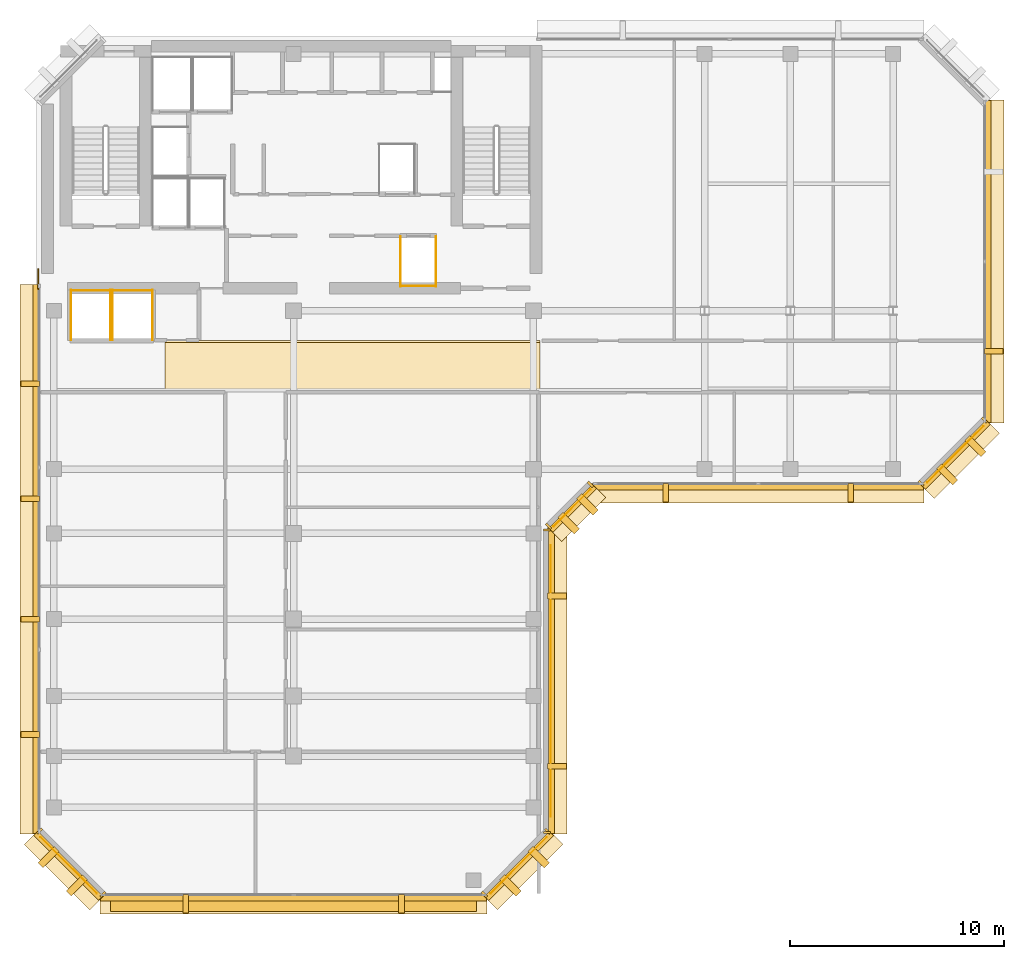
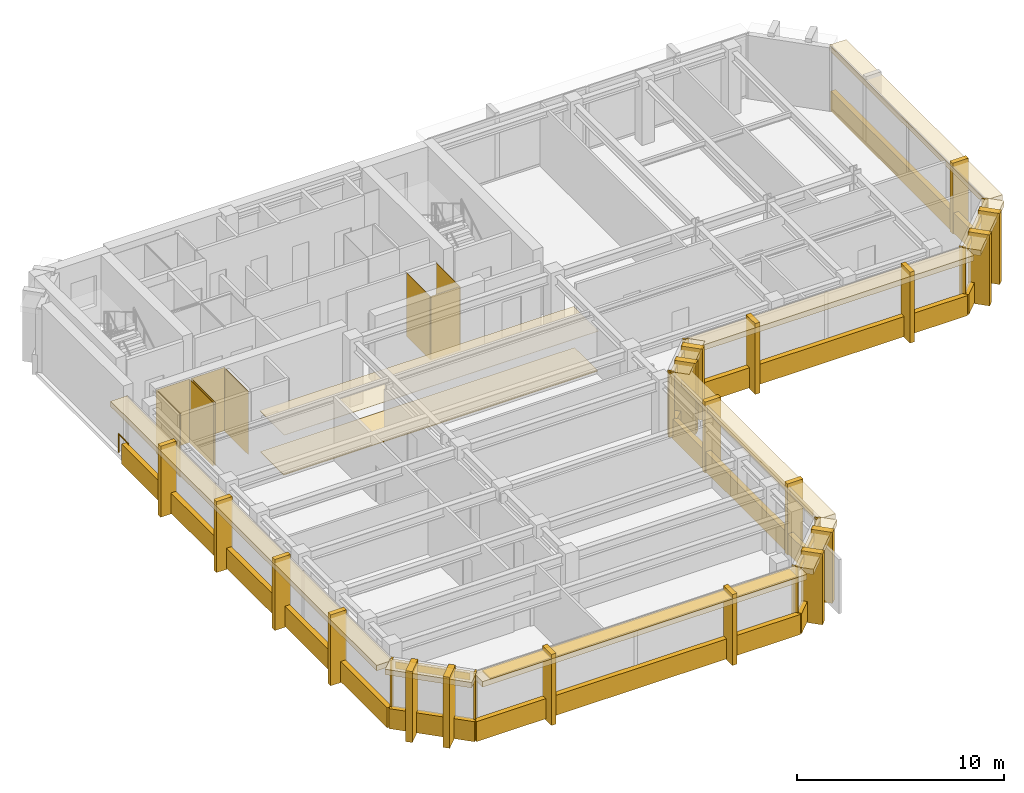
# One storey, part 9 of 11: 63 coverings, 1 railing, 1 shading device.
"""IFC4 building model written with IfcOpenShell, lengths in metres."""

from ifc_helpers import new_model, si_unit, direction, frame, origin, origin_2d, place, context, subcontext, project, spatial, polyline, rectangle, circle, outline, extrude, material, layer, layer_set, type_object, element, save


model = new_model("IFC4")

# Units and contexts
model_context = context("Model", 3, precision=1e-05, world=origin(), true_north=direction((0.0, 1.0)))
body_context = subcontext(model_context, "Body", "Model", "MODEL_VIEW")
ifc_project = project(units=[si_unit("LENGTHUNIT", "METRE"), si_unit("AREAUNIT", "SQUARE_METRE"), si_unit("VOLUMEUNIT", "CUBIC_METRE"), si_unit("PLANEANGLEUNIT", "RADIAN"), si_unit("MASSUNIT", "GRAM", prefix="KILO")], contexts=[model_context])

# Site, building, storey
site_placement = place(None, origin())
site = spatial("IfcSite", under=ifc_project, at=site_placement, CompositionType="ELEMENT")
building_placement = place(site_placement, origin())
building = spatial("IfcBuilding", under=site, at=building_placement, Name="Kefirva Bronze Tower", CompositionType="ELEMENT")
storey_placement = place(building_placement, frame((0.0, 0.0, 303.929931640625)))
storey = spatial("IfcBuildingStorey", under=building, at=storey_placement, Name="L74", CompositionType="ELEMENT", Elevation=303.929931640625)

# Coverings
ifc_material_1 = material(Name="Acoustic mineral tile")
ifc_layer_1 = layer(ifc_material_1, 0.02490234375, Name="Acoustic mineral tile")
ifc_layer_set_1 = layer_set([ifc_layer_1], Name="Acoustic mineral tile")
covering_type_1 = type_object("IfcCoveringType", Name="Acoustic Mineral Suspended Ceiling 25mm", PredefinedType="CEILING", material=ifc_layer_set_1)
covering_1_placement = place(storey_placement, frame((0.0, 0.0, 2.400146484375)))
element("IfcCovering", 1, at=covering_1_placement, inside=storey, type_object=covering_type_1, Name="L74 Corridor Acoustic Ceiling", PredefinedType="CEILING", context=body_context, shape_type="SweptSolid", body=[
    extrude(outline(polyline([(6.0, 29.39990234375), (23.5, 29.39990234375), (23.5, 31.800048828125), (6.0, 31.800048828125), (6.0, 29.39990234375)])), origin(), (0.0, 0.0, 1.0), 0.02490234375),
])
ifc_material_2 = material(Name="Bronze anodised aluminium", Category="aluminium")
ifc_layer_2 = layer(ifc_material_2, 0.02001953125, Name="Bronze anodised aluminium")
ifc_layer_set_2 = layer_set([ifc_layer_2], Name="Bronze anodised aluminium")
covering_type_2 = type_object("IfcCoveringType", Name="Anodised Bronze Spandrel Cladding 20mm", PredefinedType="CLADDING", material=ifc_layer_set_2)
covering_2_placement = place(storey_placement, frame((12.0, 5.760009765625, -0.15966796875), z_axis=(0.0, 0.0, 1.0), x_axis=(1.0, 0.0, 0.0)))
element("IfcCovering", 2, at=covering_2_placement, inside=storey, type_object=covering_type_2, Name="L74 Streamline Horizontal Spandrel Band 0", PredefinedType="CLADDING", context=body_context, shape_type="SweptSolid", body=[
    extrude(rectangle(XDim=18.0400390625, YDim=0.280029296875, at=origin_2d()), origin(), (0.0, 0.0, 1.0), 1.179931640625),
])
covering_3_placement = place(storey_placement, frame((22.507080078125, 7.29296875, 3.320068359375), z_axis=(0.0, 0.0, 1.0), x_axis=(0.707106781187, 0.707106781187, 0.0)))
element("IfcCovering", 3, at=covering_3_placement, inside=storey, type_object=covering_type_2, Name="L74 Bronze Spandrel Cladding 1", PredefinedType="CLADDING", context=body_context, shape_type="SweptSolid", body=[
    extrude(rectangle(XDim=3.719482421875, YDim=0.02001953125, at=origin_2d()), origin(), (0.0, 0.0, 1.0), 0.39990234375),
])
for number, where, z_axis, x_axis, name in (
    (4, (20.91162109375, 5.93798828125, 0.0), (0.0, 0.0, 1.0), (0.707106781187, 0.707106781187, 0.0), "L74 Facade Joint Closure Panel 1S"),
    (5, (23.862060546875, 8.88818359375, 0.0), (0.0, 0.0, 1.0), (0.707106781187, 0.707106781187, 0.0), "L74 Facade Joint Closure Panel 1E"),
):
    element("IfcCovering", number, at=place(storey_placement, frame(where, z_axis=z_axis, x_axis=x_axis)), inside=storey, type_object=covering_type_2, Name=name, PredefinedType="CLADDING", context=body_context, shape_type="SweptSolid", body=[
        extrude(rectangle(XDim=0.10009765625, YDim=0.320068359375, at=origin_2d()), origin(), (0.0, 0.0, 1.0), 3.739990234375),
    ])
covering_4_placement = place(storey_placement, frame((22.5283203125, 7.271728515625, -0.15966796875), z_axis=(0.0, 0.0, 1.0), x_axis=(0.707106781187, 0.707106781187, 0.0)))
element("IfcCovering", 6, at=covering_4_placement, inside=storey, type_object=covering_type_2, Name="L74 Streamline Horizontal Spandrel Band 1", PredefinedType="CLADDING", context=body_context, shape_type="SweptSolid", body=[
    extrude(rectangle(XDim=4.28271484375, YDim=0.280029296875, at=origin_2d()), origin(), (0.0, 0.0, 1.0), 1.179931640625),
])
covering_5_placement = place(storey_placement, frame((24.010009765625, 15.89990234375, 3.320068359375), z_axis=(0.0, 0.0, 1.0), x_axis=(0.0, 1.0, 0.0)))
element("IfcCovering", 7, at=covering_5_placement, inside=storey, type_object=covering_type_2, Name="L74 Bronze Spandrel Cladding 2", PredefinedType="CLADDING", context=body_context, shape_type="SweptSolid", body=[
    extrude(rectangle(XDim=12.680908203125, YDim=0.02001953125, at=origin_2d()), origin(), (0.0, 0.0, 1.0), 0.39990234375),
])
for number, where, z_axis, x_axis, name in (
    (8, (23.840087890625, 8.8349609375, 0.0), (0.0, 0.0, 1.0), (0.0, 1.0, 0.0), "L74 Facade Joint Closure Panel 2S"),
    (9, (23.840087890625, 22.965087890625, 0.0), (0.0, 0.0, 1.0), (0.0, 1.0, 0.0), "L74 Facade Joint Closure Panel 2E"),
):
    element("IfcCovering", number, at=place(storey_placement, frame(where, z_axis=z_axis, x_axis=x_axis)), inside=storey, type_object=covering_type_2, Name=name, PredefinedType="CLADDING", context=body_context, shape_type="SweptSolid", body=[
        extrude(rectangle(XDim=0.10009765625, YDim=0.320068359375, at=origin_2d()), origin(), (0.0, 0.0, 1.0), 3.739990234375),
    ])
covering_6_placement = place(storey_placement, frame((24.0400390625, 15.89990234375, -0.15966796875), z_axis=(0.0, 0.0, 1.0), x_axis=(0.0, 1.0, 0.0)))
element("IfcCovering", 10, at=covering_6_placement, inside=storey, type_object=covering_type_2, Name="L74 Streamline Horizontal Spandrel Band 2", PredefinedType="CLADDING", context=body_context, shape_type="SweptSolid", body=[
    extrude(rectangle(XDim=14.239990234375, YDim=0.280029296875, at=origin_2d()), origin(), (0.0, 0.0, 1.0), 1.179931640625),
])
covering_7_placement = place(storey_placement, frame((25.007080078125, 23.992919921875, 3.320068359375), z_axis=(0.0, 0.0, 1.0), x_axis=(0.707106781187, 0.707106781187, 0.0)))
element("IfcCovering", 11, at=covering_7_placement, inside=storey, type_object=covering_type_2, Name="L74 Bronze Spandrel Cladding 3", PredefinedType="CLADDING", context=body_context, shape_type="SweptSolid", body=[
    extrude(rectangle(XDim=2.446533203125, YDim=0.02001953125, at=origin_2d()), origin(), (0.0, 0.0, 1.0), 0.39990234375),
])
for number, where, z_axis, x_axis, name in (
    (12, (23.91162109375, 23.137939453125, 0.0), (0.0, 0.0, 1.0), (0.707106781187, 0.707106781187, 0.0), "L74 Facade Joint Closure Panel 3S"),
    (13, (25.862060546875, 25.08837890625, 0.0), (0.0, 0.0, 1.0), (0.707106781187, 0.707106781187, 0.0), "L74 Facade Joint Closure Panel 3E"),
):
    element("IfcCovering", number, at=place(storey_placement, frame(where, z_axis=z_axis, x_axis=x_axis)), inside=storey, type_object=covering_type_2, Name=name, PredefinedType="CLADDING", context=body_context, shape_type="SweptSolid", body=[
        extrude(rectangle(XDim=0.10009765625, YDim=0.320068359375, at=origin_2d()), origin(), (0.0, 0.0, 1.0), 3.739990234375),
    ])
covering_8_placement = place(storey_placement, frame((25.0283203125, 23.9716796875, -0.15966796875), z_axis=(0.0, 0.0, 1.0), x_axis=(0.707106781187, 0.707106781187, 0.0)))
element("IfcCovering", 14, at=covering_8_placement, inside=storey, type_object=covering_type_2, Name="L74 Streamline Horizontal Spandrel Band 3", PredefinedType="CLADDING", context=body_context, shape_type="SweptSolid", body=[
    extrude(rectangle(XDim=2.868408203125, YDim=0.280029296875, at=origin_2d()), origin(), (0.0, 0.0, 1.0), 1.179931640625),
])
covering_9_placement = place(storey_placement, frame((33.699951171875, 24.9599609375, -0.15966796875), z_axis=(0.0, 0.0, 1.0), x_axis=(1.0, 0.0, 0.0)))
element("IfcCovering", 15, at=covering_9_placement, inside=storey, type_object=covering_type_2, Name="L74 Streamline Horizontal Spandrel Band 4", PredefinedType="CLADDING", context=body_context, shape_type="SweptSolid", body=[
    extrude(rectangle(XDim=15.43994140625, YDim=0.280029296875, at=origin_2d()), origin(), (0.0, 0.0, 1.0), 1.179931640625),
])
covering_10_placement = place(storey_placement, frame((42.906982421875, 26.492919921875, 3.320068359375), z_axis=(0.0, 0.0, 1.0), x_axis=(0.707106781187, 0.707106781187, 0.0)))
element("IfcCovering", 16, at=covering_10_placement, inside=storey, type_object=covering_type_2, Name="L74 Bronze Spandrel Cladding 4", PredefinedType="CLADDING", context=body_context, shape_type="SweptSolid", body=[
    extrude(rectangle(XDim=3.719482421875, YDim=0.02001953125, at=origin_2d()), origin(), (0.0, 0.0, 1.0), 0.39990234375),
])
for number, where, z_axis, x_axis, name in (
    (17, (41.311767578125, 25.137939453125, 0.0), (0.0, 0.0, 1.0), (0.707106781187, 0.707106781187, 0.0), "L74 Facade Joint Closure Panel 4S"),
    (18, (44.26220703125, 28.08837890625, 0.0), (0.0, 0.0, 1.0), (0.707106781187, 0.707106781187, 0.0), "L74 Facade Joint Closure Panel 4E"),
):
    element("IfcCovering", number, at=place(storey_placement, frame(where, z_axis=z_axis, x_axis=x_axis)), inside=storey, type_object=covering_type_2, Name=name, PredefinedType="CLADDING", context=body_context, shape_type="SweptSolid", body=[
        extrude(rectangle(XDim=0.10009765625, YDim=0.320068359375, at=origin_2d()), origin(), (0.0, 0.0, 1.0), 3.739990234375),
    ])
covering_11_placement = place(storey_placement, frame((42.92822265625, 26.4716796875, -0.15966796875), z_axis=(0.0, 0.0, 1.0), x_axis=(0.707106781187, 0.707106781187, 0.0)))
element("IfcCovering", 19, at=covering_11_placement, inside=storey, type_object=covering_type_2, Name="L74 Streamline Horizontal Spandrel Band 5", PredefinedType="CLADDING", context=body_context, shape_type="SweptSolid", body=[
    extrude(rectangle(XDim=4.28271484375, YDim=0.280029296875, at=origin_2d()), origin(), (0.0, 0.0, 1.0), 1.179931640625),
])
covering_12_placement = place(storey_placement, frame((44.43994140625, 35.5, -0.15966796875), z_axis=(0.0, 0.0, 1.0), x_axis=(0.0, 1.0, 0.0)))
element("IfcCovering", 20, at=covering_12_placement, inside=storey, type_object=covering_type_2, Name="L74 Streamline Horizontal Spandrel Band 6", PredefinedType="CLADDING", context=body_context, shape_type="SweptSolid", body=[
    extrude(rectangle(XDim=15.0400390625, YDim=0.280029296875, at=origin_2d()), origin(), (0.0, 0.0, 1.0), 1.179931640625),
])
covering_13_placement = place(storey_placement, frame((-0.0400390625, 21.597412109375, -0.15966796875), z_axis=(0.0, 0.0, 1.0), x_axis=(0.0, -1.0, 0.0)))
element("IfcCovering", 21, at=covering_13_placement, inside=storey, type_object=covering_type_2, Name="L74 Streamline Horizontal Spandrel Band 10", PredefinedType="CLADDING", context=body_context, shape_type="SweptSolid", body=[
    extrude(rectangle(XDim=25.635009765625, YDim=0.280029296875, at=origin_2d()), origin(), (0.0, 0.0, 1.0), 1.179931640625),
])
covering_14_placement = place(storey_placement, frame((1.492919921875, 7.29296875, 3.320068359375), z_axis=(0.0, 0.0, 1.0), x_axis=(0.707106781187, -0.707106781187, 0.0)))
element("IfcCovering", 22, at=covering_14_placement, inside=storey, type_object=covering_type_2, Name="L74 Bronze Spandrel Cladding 7", PredefinedType="CLADDING", context=body_context, shape_type="SweptSolid", body=[
    extrude(rectangle(XDim=3.719482421875, YDim=0.02001953125, at=origin_2d()), origin(), (0.0, 0.0, 1.0), 0.39990234375),
])
for number, where, z_axis, x_axis, name in (
    (23, (0.137939453125, 8.88818359375, 0.0), (0.0, 0.0, 1.0), (0.707106781187, -0.707106781187, 0.0), "L74 Facade Joint Closure Panel 7S"),
    (24, (3.08837890625, 5.93798828125, 0.0), (0.0, 0.0, 1.0), (0.707106781187, -0.707106781187, 0.0), "L74 Facade Joint Closure Panel 7E"),
):
    element("IfcCovering", number, at=place(storey_placement, frame(where, z_axis=z_axis, x_axis=x_axis)), inside=storey, type_object=covering_type_2, Name=name, PredefinedType="CLADDING", context=body_context, shape_type="SweptSolid", body=[
        extrude(rectangle(XDim=0.10009765625, YDim=0.320068359375, at=origin_2d()), origin(), (0.0, 0.0, 1.0), 3.739990234375),
    ])
covering_15_placement = place(storey_placement, frame((1.4716796875, 7.271728515625, -0.15966796875), z_axis=(0.0, 0.0, 1.0), x_axis=(0.707106781187, -0.707106781187, 0.0)))
element("IfcCovering", 25, at=covering_15_placement, inside=storey, type_object=covering_type_2, Name="L74 Streamline Horizontal Spandrel Band 11", PredefinedType="CLADDING", context=body_context, shape_type="SweptSolid", body=[
    extrude(rectangle(XDim=4.28271484375, YDim=0.280029296875, at=origin_2d()), origin(), (0.0, 0.0, 1.0), 1.179931640625),
])
covering_16_placement = place(storey_placement, origin())
element("IfcCovering", 26, at=covering_16_placement, inside=storey, type_object=covering_type_2, Name="L74 Lift OB1 Hoistway Liner N", PredefinedType="CLADDING", context=body_context, shape_type="SweptSolid", body=[
    extrude(outline(polyline([(1.580078125, 34.139892578125), (3.469970703125, 34.139892578125), (3.469970703125, 34.159912109375), (1.580078125, 34.159912109375), (1.580078125, 34.139892578125)])), origin(), (0.0, 0.0, 1.0), 3.739990234375),
])
covering_17_placement = place(storey_placement, origin())
element("IfcCovering", 27, at=covering_17_placement, inside=storey, type_object=covering_type_2, Name="L74 Lift OB1 Hoistway Liner W", PredefinedType="CLADDING", context=body_context, shape_type="SweptSolid", body=[
    extrude(outline(polyline([(1.590087890625, 31.830078125), (1.610107421875, 31.830078125), (1.610107421875, 34.169921875), (1.590087890625, 34.169921875), (1.590087890625, 31.830078125)])), origin(), (0.0, 0.0, 1.0), 3.739990234375),
])
covering_18_placement = place(storey_placement, origin())
element("IfcCovering", 28, at=covering_18_placement, inside=storey, type_object=covering_type_2, Name="L74 Lift OB1 Hoistway Liner E", PredefinedType="CLADDING", context=body_context, shape_type="SweptSolid", body=[
    extrude(outline(polyline([(3.43994140625, 31.830078125), (3.4599609375, 31.830078125), (3.4599609375, 34.169921875), (3.43994140625, 34.169921875), (3.43994140625, 31.830078125)])), origin(), (0.0, 0.0, 1.0), 3.739990234375),
])
covering_19_placement = place(storey_placement, origin())
element("IfcCovering", 29, at=covering_19_placement, inside=storey, type_object=covering_type_2, Name="L74 Lift OB2 Hoistway Liner N", PredefinedType="CLADDING", context=body_context, shape_type="SweptSolid", body=[
    extrude(outline(polyline([(3.530029296875, 34.139892578125), (5.419921875, 34.139892578125), (5.419921875, 34.159912109375), (3.530029296875, 34.159912109375), (3.530029296875, 34.139892578125)])), origin(), (0.0, 0.0, 1.0), 3.739990234375),
])
covering_20_placement = place(storey_placement, origin())
element("IfcCovering", 30, at=covering_20_placement, inside=storey, type_object=covering_type_2, Name="L74 Lift OB2 Hoistway Liner W", PredefinedType="CLADDING", context=body_context, shape_type="SweptSolid", body=[
    extrude(outline(polyline([(3.5400390625, 31.830078125), (3.56005859375, 31.830078125), (3.56005859375, 34.169921875), (3.5400390625, 34.169921875), (3.5400390625, 31.830078125)])), origin(), (0.0, 0.0, 1.0), 3.739990234375),
])
covering_21_placement = place(storey_placement, origin())
element("IfcCovering", 31, at=covering_21_placement, inside=storey, type_object=covering_type_2, Name="L74 Lift OB2 Hoistway Liner E", PredefinedType="CLADDING", context=body_context, shape_type="SweptSolid", body=[
    extrude(outline(polyline([(5.389892578125, 31.830078125), (5.409912109375, 31.830078125), (5.409912109375, 34.169921875), (5.389892578125, 34.169921875), (5.389892578125, 31.830078125)])), origin(), (0.0, 0.0, 1.0), 3.739990234375),
])
covering_22_placement = place(storey_placement, origin())
element("IfcCovering", 32, at=covering_22_placement, inside=storey, type_object=covering_type_2, Name="L74 Lift HP1 Hoistway Liner S", PredefinedType="CLADDING", context=body_context, shape_type="SweptSolid", body=[
    extrude(outline(polyline([(16.97998046875, 34.340087890625), (18.669921875, 34.340087890625), (18.669921875, 34.360107421875), (16.97998046875, 34.360107421875), (16.97998046875, 34.340087890625)])), origin(), (0.0, 0.0, 1.0), 3.739990234375),
])
covering_23_placement = place(storey_placement, origin())
element("IfcCovering", 33, at=covering_23_placement, inside=storey, type_object=covering_type_2, Name="L74 Lift HP1 Hoistway Liner W", PredefinedType="CLADDING", context=body_context, shape_type="SweptSolid", body=[
    extrude(outline(polyline([(16.989990234375, 34.330078125), (17.010009765625, 34.330078125), (17.010009765625, 36.669921875), (16.989990234375, 36.669921875), (16.989990234375, 34.330078125)])), origin(), (0.0, 0.0, 1.0), 3.739990234375),
])
covering_24_placement = place(storey_placement, origin())
element("IfcCovering", 34, at=covering_24_placement, inside=storey, type_object=covering_type_2, Name="L74 Lift HP1 Hoistway Liner E", PredefinedType="CLADDING", context=body_context, shape_type="SweptSolid", body=[
    extrude(outline(polyline([(18.639892578125, 34.330078125), (18.659912109375, 34.330078125), (18.659912109375, 36.669921875), (18.639892578125, 36.669921875), (18.639892578125, 34.330078125)])), origin(), (0.0, 0.0, 1.0), 3.739990234375),
])

# Shading device
ifc_layer_3 = layer(ifc_material_2, 0.090087890625, Name="Bronze anodised aluminium")
ifc_layer_set_3 = layer_set([ifc_layer_3], Name="Bronze anodised aluminium")
shading_device_type = type_object("IfcShadingDeviceType", Name="Horizontal Bronze Sunshade Band 750mm", PredefinedType="JALOUSIE", material=ifc_layer_set_3)
shading_device_placement = place(storey_placement, frame((12.0, 5.5048828125, 3.63525390625), z_axis=(0.0, 0.0, 1.0), x_axis=(1.0, 0.0, 0.0)))
element("IfcShadingDevice", 35, at=shading_device_placement, inside=storey, type_object=shading_device_type, Name="L74 Horizontal Bronze Sunshade Band 0", PredefinedType="JALOUSIE", context=body_context, shape_type="SweptSolid", body=[
    extrude(rectangle(XDim=17.090087890625, YDim=0.75, at=origin_2d()), origin(), (0.0, 0.0, 1.0), 0.090087890625),
])

# Railing
ifc_material_3 = material(Name="Stainless steel 316", Category="steel")
railing_type = type_object("IfcRailingType", Name="Interior Stair Guardrail 1100mm", PredefinedType="GUARDRAIL", material=ifc_material_3)
railing_placement = place(storey_placement, frame((0.080078125, 34.199951171875, 0.0)))
element("IfcRailing", 36, at=railing_placement, inside=storey, type_object=railing_type, Name="L74 West Core Junction Guardrail", PredefinedType="GUARDRAIL", context=body_context, shape_type="SweptSolid", body=[
    extrude(circle(Radius=0.02392578125, at=origin_2d()), frame((0.0, 0.0, 1.076171875), z_axis=(0.0, 1.0, 0.0), x_axis=(-1.0, 0.0, 0.0)), (0.0, 0.0, 1.0), 0.949951171875),
    extrude(circle(Radius=0.02099609375, at=origin_2d()), origin(), (0.0, 0.0, 1.0), 1.052001953125),
    extrude(circle(Radius=0.02099609375, at=origin_2d()), frame((0.0, 0.949951171875, 0.0)), (0.0, 0.0, 1.0), 1.052001953125),
])

# Coverings
ifc_material_4 = material(Name="Calcium sulphate access tile")
ifc_layer_4 = layer(ifc_material_4, 0.044921875, Name="Calcium sulphate access tile")
ifc_layer_set_4 = layer_set([ifc_layer_4], Name="Calcium sulphate access tile")
covering_type_3 = type_object("IfcCoveringType", Name="Raised Access Office Flooring 45mm", PredefinedType="FLOORING", material=ifc_layer_set_4)
covering_25_placement = place(storey_placement, origin())
element("IfcCovering", 37, at=covering_25_placement, inside=storey, type_object=covering_type_3, Name="L74 Architectural Finish Flooring", PredefinedType="FLOORING", context=body_context, shape_type="SweptSolid", body=[
    extrude(outline(polyline([(6.0, 29.47998046875), (23.5, 29.47998046875), (23.5, 31.719970703125), (6.0, 31.719970703125), (6.0, 29.47998046875)])), origin(), (0.0, 0.0, 1.0), 0.045166015625),
])
ifc_layer_5 = layer(ifc_material_2, 0.179931640625, Name="Bronze anodised aluminium")
ifc_layer_set_5 = layer_set([ifc_layer_5], Name="Bronze anodised aluminium")
covering_type_4 = type_object("IfcCoveringType", Name="Streamline Bronze Sunshade Eyebrow Cladding 180mm", PredefinedType="CLADDING", material=ifc_layer_set_5)
covering_26_placement = place(storey_placement, frame((12.0, 5.489990234375, 3.419921875), z_axis=(0.0, 0.0, 1.0), x_axis=(1.0, 0.0, 0.0)))
element("IfcCovering", 38, at=covering_26_placement, inside=storey, type_object=covering_type_4, Name="L74 Streamline Bronze Sunshade Eyebrow 0", PredefinedType="CLADDING", context=body_context, shape_type="SweptSolid", body=[
    extrude(rectangle(XDim=18.080078125, YDim=0.93994140625, at=origin_2d()), origin(), (0.0, 0.0, 1.0), 0.320068359375),
])
covering_27_placement = place(storey_placement, frame((22.71923828125, 7.080810546875, 3.419921875), z_axis=(0.0, 0.0, 1.0), x_axis=(0.707106781187, 0.707106781187, 0.0)))
element("IfcCovering", 39, at=covering_27_placement, inside=storey, type_object=covering_type_4, Name="L74 Streamline Bronze Sunshade Eyebrow 1", PredefinedType="CLADDING", context=body_context, shape_type="SweptSolid", body=[
    extrude(rectangle(XDim=4.322509765625, YDim=0.93994140625, at=origin_2d()), origin(), (0.0, 0.0, 1.0), 0.320068359375),
])
covering_28_placement = place(storey_placement, frame((24.31005859375, 15.89990234375, 3.419921875), z_axis=(0.0, 0.0, 1.0), x_axis=(0.0, 1.0, 0.0)))
element("IfcCovering", 40, at=covering_28_placement, inside=storey, type_object=covering_type_4, Name="L74 Streamline Bronze Sunshade Eyebrow 2", PredefinedType="CLADDING", context=body_context, shape_type="SweptSolid", body=[
    extrude(rectangle(XDim=14.280029296875, YDim=0.93994140625, at=origin_2d()), origin(), (0.0, 0.0, 1.0), 0.320068359375),
])
covering_29_placement = place(storey_placement, frame((25.21923828125, 23.78076171875, 3.419921875), z_axis=(0.0, 0.0, 1.0), x_axis=(0.707106781187, 0.707106781187, 0.0)))
element("IfcCovering", 41, at=covering_29_placement, inside=storey, type_object=covering_type_4, Name="L74 Streamline Bronze Sunshade Eyebrow 3", PredefinedType="CLADDING", context=body_context, shape_type="SweptSolid", body=[
    extrude(rectangle(XDim=2.908447265625, YDim=0.93994140625, at=origin_2d()), origin(), (0.0, 0.0, 1.0), 0.320068359375),
])
covering_30_placement = place(storey_placement, frame((33.699951171875, 24.68994140625, 3.419921875), z_axis=(0.0, 0.0, 1.0), x_axis=(1.0, 0.0, 0.0)))
element("IfcCovering", 42, at=covering_30_placement, inside=storey, type_object=covering_type_4, Name="L74 Streamline Bronze Sunshade Eyebrow 4", PredefinedType="CLADDING", context=body_context, shape_type="SweptSolid", body=[
    extrude(rectangle(XDim=15.47998046875, YDim=0.93994140625, at=origin_2d()), origin(), (0.0, 0.0, 1.0), 0.320068359375),
])
covering_31_placement = place(storey_placement, frame((43.119140625, 26.28076171875, 3.419921875), z_axis=(0.0, 0.0, 1.0), x_axis=(0.707106781187, 0.707106781187, 0.0)))
element("IfcCovering", 43, at=covering_31_placement, inside=storey, type_object=covering_type_4, Name="L74 Streamline Bronze Sunshade Eyebrow 5", PredefinedType="CLADDING", context=body_context, shape_type="SweptSolid", body=[
    extrude(rectangle(XDim=4.322509765625, YDim=0.93994140625, at=origin_2d()), origin(), (0.0, 0.0, 1.0), 0.320068359375),
])
covering_32_placement = place(storey_placement, frame((44.7099609375, 35.5, 3.419921875), z_axis=(0.0, 0.0, 1.0), x_axis=(0.0, 1.0, 0.0)))
element("IfcCovering", 44, at=covering_32_placement, inside=storey, type_object=covering_type_4, Name="L74 Streamline Bronze Sunshade Eyebrow 6", PredefinedType="CLADDING", context=body_context, shape_type="SweptSolid", body=[
    extrude(rectangle(XDim=15.080078125, YDim=0.93994140625, at=origin_2d()), origin(), (0.0, 0.0, 1.0), 0.320068359375),
])
covering_33_placement = place(storey_placement, frame((-0.31005859375, 21.597412109375, 3.419921875), z_axis=(0.0, 0.0, 1.0), x_axis=(0.0, -1.0, 0.0)))
element("IfcCovering", 45, at=covering_33_placement, inside=storey, type_object=covering_type_4, Name="L74 Streamline Bronze Sunshade Eyebrow 10", PredefinedType="CLADDING", context=body_context, shape_type="SweptSolid", body=[
    extrude(rectangle(XDim=25.675048828125, YDim=0.93994140625, at=origin_2d()), origin(), (0.0, 0.0, 1.0), 0.320068359375),
])
covering_34_placement = place(storey_placement, frame((1.28076171875, 7.080810546875, 3.419921875), z_axis=(0.0, 0.0, 1.0), x_axis=(0.707106781187, -0.707106781187, 0.0)))
element("IfcCovering", 46, at=covering_34_placement, inside=storey, type_object=covering_type_4, Name="L74 Streamline Bronze Sunshade Eyebrow 11", PredefinedType="CLADDING", context=body_context, shape_type="SweptSolid", body=[
    extrude(rectangle(XDim=4.322509765625, YDim=0.93994140625, at=origin_2d()), origin(), (0.0, 0.0, 1.0), 0.320068359375),
])
ifc_layer_6 = layer(ifc_material_2, 0.260009765625, Name="Bronze anodised aluminium")
ifc_layer_set_6 = layer_set([ifc_layer_6], Name="Bronze anodised aluminium")
covering_type_5 = type_object("IfcCoveringType", Name="Unbroken Bronze Buttress Fin Cladding 260mm", PredefinedType="CLADDING", material=ifc_layer_set_6)
for number, where, z_axis, x_axis, name in (
    (47, (6.9599609375, 5.5, -0.2197265625), (0.0, 0.0, 1.0), (1.0, 0.0, 0.0), "L74 Unbroken Vertical Bronze Rib Fin 1"),
    (48, (17.0400390625, 5.5, -0.2197265625), (0.0, 0.0, 1.0), (1.0, 0.0, 0.0), "L74 Unbroken Vertical Bronze Rib Fin 2"),
):
    element("IfcCovering", number, at=place(storey_placement, frame(where, z_axis=z_axis, x_axis=x_axis)), inside=storey, type_object=covering_type_5, Name=name, PredefinedType="CLADDING", context=body_context, shape_type="SweptSolid", body=[
        extrude(rectangle(XDim=0.260009765625, YDim=0.8798828125, at=origin_2d()), origin(), (0.0, 0.0, 1.0), 4.179931640625),
    ])
for number, where, z_axis, x_axis, name in (
    (49, (22.122802734375, 6.357177734375, -0.2197265625), (0.0, 0.0, 1.0), (0.707106781187, 0.707106781187, 0.0), "L74 Chamfered Corner Buttress Fin Cladding 3"),
    (50, (23.44287109375, 7.67724609375, -0.2197265625), (0.0, 0.0, 1.0), (0.707106781187, 0.707106781187, 0.0), "L74 Chamfered Corner Buttress Fin Cladding 4"),
):
    element("IfcCovering", number, at=place(storey_placement, frame(where, z_axis=z_axis, x_axis=x_axis)), inside=storey, type_object=covering_type_5, Name=name, PredefinedType="CLADDING", context=body_context, shape_type="SweptSolid", body=[
        extrude(rectangle(XDim=0.340087890625, YDim=1.080078125, at=origin_2d()), origin(), (0.0, 0.0, 1.0), 4.179931640625),
    ])
for number, where, z_axis, x_axis, name in (
    (51, (24.300048828125, 11.924072265625, -0.2197265625), (0.0, 0.0, 1.0), (0.0, 1.0, 0.0), "L74 Unbroken Vertical Bronze Rib Fin 5"),
    (52, (24.300048828125, 19.8759765625, -0.2197265625), (0.0, 0.0, 1.0), (0.0, 1.0, 0.0), "L74 Unbroken Vertical Bronze Rib Fin 6"),
):
    element("IfcCovering", number, at=place(storey_placement, frame(where, z_axis=z_axis, x_axis=x_axis)), inside=storey, type_object=covering_type_5, Name=name, PredefinedType="CLADDING", context=body_context, shape_type="SweptSolid", body=[
        extrude(rectangle(XDim=0.260009765625, YDim=0.8798828125, at=origin_2d()), origin(), (0.0, 0.0, 1.0), 4.179931640625),
    ])
for number, where, z_axis, x_axis, name in (
    (53, (24.8427734375, 23.277099609375, -0.2197265625), (0.0, 0.0, 1.0), (0.707106781187, 0.707106781187, 0.0), "L74 Chamfered Corner Buttress Fin Cladding 7"),
    (54, (25.722900390625, 24.1572265625, -0.2197265625), (0.0, 0.0, 1.0), (0.707106781187, 0.707106781187, 0.0), "L74 Chamfered Corner Buttress Fin Cladding 8"),
):
    element("IfcCovering", number, at=place(storey_placement, frame(where, z_axis=z_axis, x_axis=x_axis)), inside=storey, type_object=covering_type_5, Name=name, PredefinedType="CLADDING", context=body_context, shape_type="SweptSolid", body=[
        extrude(rectangle(XDim=0.340087890625, YDim=1.080078125, at=origin_2d()), origin(), (0.0, 0.0, 1.0), 4.179931640625),
    ])
for number, where, z_axis, x_axis, name in (
    (55, (29.387939453125, 24.699951171875, -0.2197265625), (0.0, 0.0, 1.0), (1.0, 0.0, 0.0), "L74 Unbroken Vertical Bronze Rib Fin 9"),
    (56, (38.011962890625, 24.699951171875, -0.2197265625), (0.0, 0.0, 1.0), (1.0, 0.0, 0.0), "L74 Unbroken Vertical Bronze Rib Fin 10"),
):
    element("IfcCovering", number, at=place(storey_placement, frame(where, z_axis=z_axis, x_axis=x_axis)), inside=storey, type_object=covering_type_5, Name=name, PredefinedType="CLADDING", context=body_context, shape_type="SweptSolid", body=[
        extrude(rectangle(XDim=0.260009765625, YDim=0.8798828125, at=origin_2d()), origin(), (0.0, 0.0, 1.0), 4.179931640625),
    ])
for number, where, z_axis, x_axis, name in (
    (57, (42.522705078125, 25.55712890625, -0.2197265625), (0.0, 0.0, 1.0), (0.707106781187, 0.707106781187, 0.0), "L74 Chamfered Corner Buttress Fin Cladding 11"),
    (58, (43.8427734375, 26.877197265625, -0.2197265625), (0.0, 0.0, 1.0), (0.707106781187, 0.707106781187, 0.0), "L74 Chamfered Corner Buttress Fin Cladding 12"),
):
    element("IfcCovering", number, at=place(storey_placement, frame(where, z_axis=z_axis, x_axis=x_axis)), inside=storey, type_object=covering_type_5, Name=name, PredefinedType="CLADDING", context=body_context, shape_type="SweptSolid", body=[
        extrude(rectangle(XDim=0.340087890625, YDim=1.080078125, at=origin_2d()), origin(), (0.0, 0.0, 1.0), 4.179931640625),
    ])
for number, where, z_axis, x_axis, name in (
    (59, (44.699951171875, 31.300048828125, -0.2197265625), (0.0, 0.0, 1.0), (0.0, 1.0, 0.0), "L74 Unbroken Vertical Bronze Rib Fin 13"),
    (60, (-0.300048828125, 29.787841796875, -0.2197265625), (0.0, 0.0, 1.0), (0.0, -1.0, 0.0), "L74 Unbroken Vertical Bronze Rib Fin 21"),
    (61, (-0.300048828125, 24.4130859375, -0.2197265625), (0.0, 0.0, 1.0), (0.0, -1.0, 0.0), "L74 Unbroken Vertical Bronze Rib Fin 22"),
    (62, (-0.300048828125, 18.781982421875, -0.2197265625), (0.0, 0.0, 1.0), (0.0, -1.0, 0.0), "L74 Unbroken Vertical Bronze Rib Fin 23"),
    (63, (-0.300048828125, 13.406982421875, -0.2197265625), (0.0, 0.0, 1.0), (0.0, -1.0, 0.0), "L74 Unbroken Vertical Bronze Rib Fin 24"),
):
    element("IfcCovering", number, at=place(storey_placement, frame(where, z_axis=z_axis, x_axis=x_axis)), inside=storey, type_object=covering_type_5, Name=name, PredefinedType="CLADDING", context=body_context, shape_type="SweptSolid", body=[
        extrude(rectangle(XDim=0.260009765625, YDim=0.8798828125, at=origin_2d()), origin(), (0.0, 0.0, 1.0), 4.179931640625),
    ])
for number, where, z_axis, x_axis, name in (
    (64, (0.55712890625, 7.67724609375, -0.2197265625), (0.0, 0.0, 1.0), (0.707106781187, -0.707106781187, 0.0), "L74 Chamfered Corner Buttress Fin Cladding 25"),
    (65, (1.877197265625, 6.357177734375, -0.2197265625), (0.0, 0.0, 1.0), (0.707106781187, -0.707106781187, 0.0), "L74 Chamfered Corner Buttress Fin Cladding 26"),
):
    element("IfcCovering", number, at=place(storey_placement, frame(where, z_axis=z_axis, x_axis=x_axis)), inside=storey, type_object=covering_type_5, Name=name, PredefinedType="CLADDING", context=body_context, shape_type="SweptSolid", body=[
        extrude(rectangle(XDim=0.340087890625, YDim=1.080078125, at=origin_2d()), origin(), (0.0, 0.0, 1.0), 4.179931640625),
    ])

save(model, "model.ifc")
